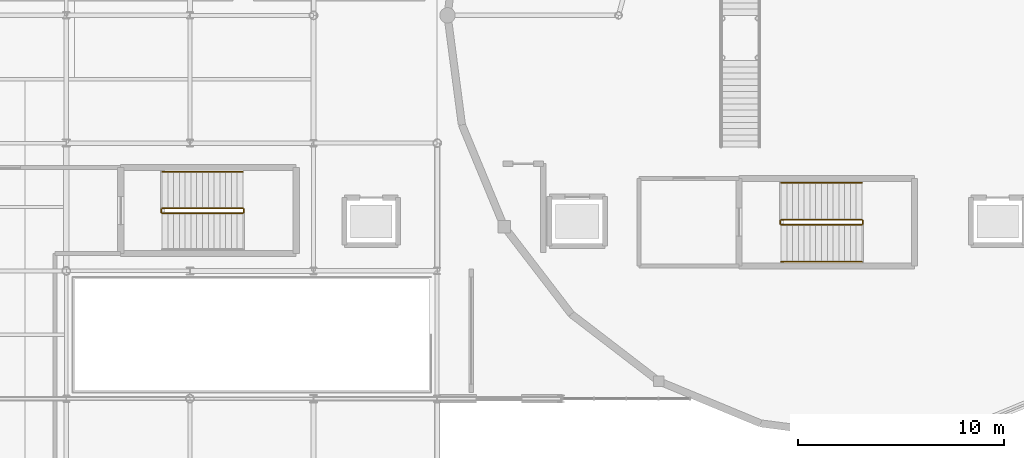
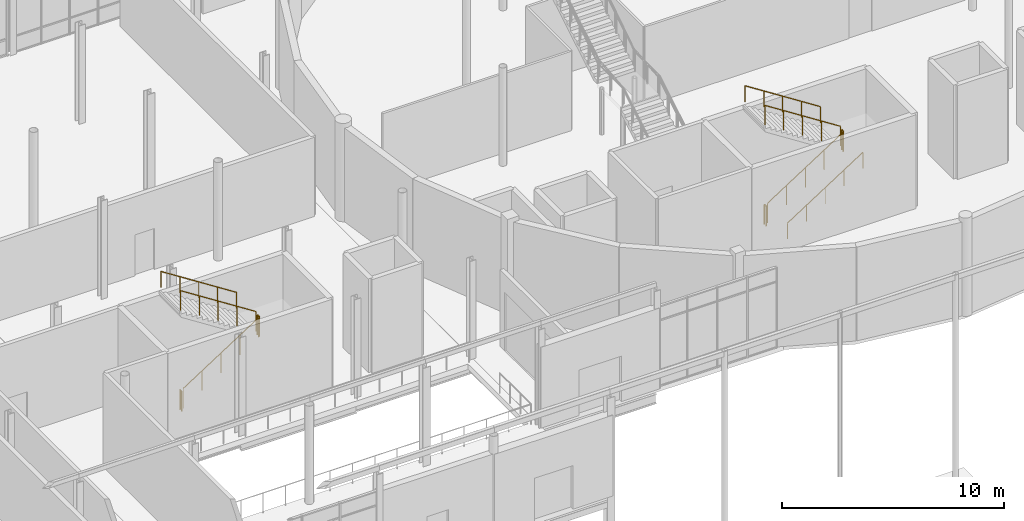
# One storey, part 90 of 98: 11 railings.
"""IFC4 building model written with IfcOpenShell, lengths in metres."""

from ifc_helpers import new_model, si_unit, direction, frame, origin, origin_2d, place, context, subcontext, project, spatial, circle, extrude, material, type_object, element, save


model = new_model("IFC4")

# Units and contexts
model_context = context("Model", 3, precision=1e-05, world=origin(), true_north=direction((0.0, 1.0)))
body_context = subcontext(model_context, "Body", "Model", "MODEL_VIEW")
ifc_project = project(units=[si_unit("LENGTHUNIT", "METRE"), si_unit("AREAUNIT", "SQUARE_METRE"), si_unit("VOLUMEUNIT", "CUBIC_METRE"), si_unit("PLANEANGLEUNIT", "RADIAN"), si_unit("MASSUNIT", "GRAM", prefix="KILO")], contexts=[model_context])

# Site, building, storey
site_placement = place(None, origin())
site = spatial("IfcSite", under=ifc_project, at=site_placement, CompositionType="ELEMENT")
building_placement = place(site_placement, origin())
building = spatial("IfcBuilding", under=site, at=building_placement, Name="Mirzam Square Science Centre", CompositionType="ELEMENT")
storey_placement = place(building_placement, origin())
storey = spatial("IfcBuildingStorey", under=building, at=storey_placement, Name="L00", CompositionType="ELEMENT", Elevation=0.0)

# Railings
ifc_material_1 = material(Name="Bronze-Anodised Architectural Balustrade", Category="aluminium")
railing_type_1 = type_object("IfcRailingType", Name="RL-INT-GUARD-1100", PredefinedType="GUARDRAIL", material=ifc_material_1)
railing_1_placement = place(storey_placement, frame((46.64990234375, 52.39990234375, 0.179931640625)))
element("IfcRailing", 1, at=railing_1_placement, inside=storey, type_object=railing_type_1, Name="L00 ST-01 stair guard 1", PredefinedType="GUARDRAIL", context=body_context, shape_type="SweptSolid", body=[
    extrude(circle(Radius=0.02392578125, at=origin_2d()), frame((0.0, 0.0, 1.076171875), z_axis=(0.841186985886, 0.0, 0.540744352514), x_axis=(0.0, 1.0, 0.0)), (0.0, 0.0, 1.0), 4.660400390625),
    extrude(circle(Radius=0.02099609375, at=origin_2d()), origin(), (0.0, 0.0, 1.0), 1.052001953125),
    extrude(circle(Radius=0.02099609375, at=origin_2d()), frame((0.97998046875, 0.0, 0.6298828125)), (0.0, 0.0, 1.0), 1.052001953125),
    extrude(circle(Radius=0.02099609375, at=origin_2d()), frame((1.9599609375, 0.0, 1.260009765625)), (0.0, 0.0, 1.0), 1.052001953125),
    extrude(circle(Radius=0.02099609375, at=origin_2d()), frame((2.940185546875, 0.0, 1.89013671875)), (0.0, 0.0, 1.0), 1.052001953125),
    extrude(circle(Radius=0.02099609375, at=origin_2d()), frame((3.920166015625, 0.0, 2.52001953125)), (0.0, 0.0, 1.0), 1.052001953125),
])
railing_2_placement = place(storey_placement, frame((50.6201171875, 52.449951171875, 2.699951171875)))
element("IfcRailing", 2, at=railing_2_placement, inside=storey, type_object=railing_type_1, Name="L00 ST-01 stair guard 2", PredefinedType="GUARDRAIL", context=body_context, shape_type="SweptSolid", body=[
    extrude(circle(Radius=0.02392578125, at=origin_2d()), frame((0.0, 0.0, 1.076171875), z_axis=(0.0, 1.0, 0.0), x_axis=(-1.0, 0.0, 0.0)), (0.0, 0.0, 1.0), 0.150146484375),
    extrude(circle(Radius=0.02099609375, at=origin_2d()), origin(), (0.0, 0.0, 1.0), 1.052001953125),
    extrude(circle(Radius=0.02099609375, at=origin_2d()), frame((0.0, 0.150146484375, 0.0)), (0.0, 0.0, 1.0), 1.052001953125),
])
railing_3_placement = place(storey_placement, frame((50.570068359375, 52.64990234375, 2.8798828125)))
element("IfcRailing", 3, at=railing_3_placement, inside=storey, type_object=railing_type_1, Name="L00 ST-01 stair guard 3", PredefinedType="GUARDRAIL", context=body_context, shape_type="SweptSolid", body=[
    extrude(circle(Radius=0.02392578125, at=origin_2d()), frame((0.0, 0.0, 1.076171875), z_axis=(-0.841186985886, 0.0, 0.540744352514), x_axis=(0.0, -1.0, 0.0)), (0.0, 0.0, 1.0), 4.660400390625),
    extrude(circle(Radius=0.02099609375, at=origin_2d()), origin(), (0.0, 0.0, 1.0), 1.052001953125),
    extrude(circle(Radius=0.02099609375, at=origin_2d()), frame((-0.97998046875, 0.0, 0.6298828125)), (0.0, 0.0, 1.0), 1.052001953125),
    extrude(circle(Radius=0.02099609375, at=origin_2d()), frame((-1.9599609375, 0.0, 1.260009765625)), (0.0, 0.0, 1.0), 1.052001953125),
    extrude(circle(Radius=0.02099609375, at=origin_2d()), frame((-2.940185546875, 0.0, 1.89013671875)), (0.0, 0.0, 1.0), 1.052001953125),
    extrude(circle(Radius=0.02099609375, at=origin_2d()), frame((-3.920166015625, 0.0, 2.52001953125)), (0.0, 0.0, 1.0), 1.052001953125),
])
railing_4_placement = place(storey_placement, frame((46.60009765625, 52.449951171875, 0.0)))
element("IfcRailing", 4, at=railing_4_placement, inside=storey, type_object=railing_type_1, Name="L00 ST-01 stair guard 4", PredefinedType="GUARDRAIL", context=body_context, shape_type="SweptSolid", body=[
    extrude(circle(Radius=0.02392578125, at=origin_2d()), frame((0.0, 0.0, 1.076171875), z_axis=(0.0, 1.0, 0.0), x_axis=(-1.0, 0.0, 0.0)), (0.0, 0.0, 1.0), 0.150146484375),
    extrude(circle(Radius=0.02099609375, at=origin_2d()), origin(), (0.0, 0.0, 1.0), 1.052001953125),
    extrude(circle(Radius=0.02099609375, at=origin_2d()), frame((0.0, 0.150146484375, 0.0)), (0.0, 0.0, 1.0), 1.052001953125),
])
railing_5_placement = place(storey_placement, frame((76.68994140625, 51.840087890625, 0.179931640625)))
element("IfcRailing", 5, at=railing_5_placement, inside=storey, type_object=railing_type_1, Name="L00 ST-03 stair guard 1", PredefinedType="GUARDRAIL", context=body_context, shape_type="SweptSolid", body=[
    extrude(circle(Radius=0.02392578125, at=origin_2d()), frame((0.0, 0.0, 1.076171875), z_axis=(0.841186985886, 0.0, 0.540744352514), x_axis=(0.0, 1.0, 0.0)), (0.0, 0.0, 1.0), 4.660400390625),
    extrude(circle(Radius=0.02099609375, at=origin_2d()), origin(), (0.0, 0.0, 1.0), 1.052001953125),
    extrude(circle(Radius=0.02099609375, at=origin_2d()), frame((0.97998046875, 0.0, 0.6298828125)), (0.0, 0.0, 1.0), 1.052001953125),
    extrude(circle(Radius=0.02099609375, at=origin_2d()), frame((1.9599609375, 0.0, 1.260009765625)), (0.0, 0.0, 1.0), 1.052001953125),
    extrude(circle(Radius=0.02099609375, at=origin_2d()), frame((2.940185546875, 0.0, 1.89013671875)), (0.0, 0.0, 1.0), 1.052001953125),
    extrude(circle(Radius=0.02099609375, at=origin_2d()), frame((3.920166015625, 0.0, 2.52001953125)), (0.0, 0.0, 1.0), 1.052001953125),
])
railing_6_placement = place(storey_placement, frame((80.659912109375, 51.889892578125, 2.699951171875)))
element("IfcRailing", 6, at=railing_6_placement, inside=storey, type_object=railing_type_1, Name="L00 ST-03 stair guard 2", PredefinedType="GUARDRAIL", context=body_context, shape_type="SweptSolid", body=[
    extrude(circle(Radius=0.02392578125, at=origin_2d()), frame((0.0, 0.0, 1.076171875), z_axis=(0.0, 1.0, 0.0), x_axis=(-1.0, 0.0, 0.0)), (0.0, 0.0, 1.0), 0.150146484375),
    extrude(circle(Radius=0.02099609375, at=origin_2d()), origin(), (0.0, 0.0, 1.0), 1.052001953125),
    extrude(circle(Radius=0.02099609375, at=origin_2d()), frame((0.0, 0.150146484375, 0.0)), (0.0, 0.0, 1.0), 1.052001953125),
])
railing_7_placement = place(storey_placement, frame((80.610107421875, 52.090087890625, 2.8798828125)))
element("IfcRailing", 7, at=railing_7_placement, inside=storey, type_object=railing_type_1, Name="L00 ST-03 stair guard 3", PredefinedType="GUARDRAIL", context=body_context, shape_type="SweptSolid", body=[
    extrude(circle(Radius=0.02392578125, at=origin_2d()), frame((0.0, 0.0, 1.076171875), z_axis=(-0.841186985886, 0.0, 0.540744352514), x_axis=(0.0, -1.0, 0.0)), (0.0, 0.0, 1.0), 4.660400390625),
    extrude(circle(Radius=0.02099609375, at=origin_2d()), origin(), (0.0, 0.0, 1.0), 1.052001953125),
    extrude(circle(Radius=0.02099609375, at=origin_2d()), frame((-0.97998046875, 0.0, 0.6298828125)), (0.0, 0.0, 1.0), 1.052001953125),
    extrude(circle(Radius=0.02099609375, at=origin_2d()), frame((-1.9599609375, 0.0, 1.260009765625)), (0.0, 0.0, 1.0), 1.052001953125),
    extrude(circle(Radius=0.02099609375, at=origin_2d()), frame((-2.940185546875, 0.0, 1.89013671875)), (0.0, 0.0, 1.0), 1.052001953125),
    extrude(circle(Radius=0.02099609375, at=origin_2d()), frame((-3.920166015625, 0.0, 2.52001953125)), (0.0, 0.0, 1.0), 1.052001953125),
])
railing_8_placement = place(storey_placement, frame((76.639892578125, 51.889892578125, 0.0)))
element("IfcRailing", 8, at=railing_8_placement, inside=storey, type_object=railing_type_1, Name="L00 ST-03 stair guard 4", PredefinedType="GUARDRAIL", context=body_context, shape_type="SweptSolid", body=[
    extrude(circle(Radius=0.02392578125, at=origin_2d()), frame((0.0, 0.0, 1.076171875), z_axis=(0.0, 1.0, 0.0), x_axis=(-1.0, 0.0, 0.0)), (0.0, 0.0, 1.0), 0.150146484375),
    extrude(circle(Radius=0.02099609375, at=origin_2d()), origin(), (0.0, 0.0, 1.0), 1.052001953125),
    extrude(circle(Radius=0.02099609375, at=origin_2d()), frame((0.0, 0.150146484375, 0.0)), (0.0, 0.0, 1.0), 1.052001953125),
])
ifc_material_2 = material(Name="Brushed Bronze Tubular Handrail", Category="aluminium")
railing_type_2 = type_object("IfcRailingType", Name="RL-STAIR-HANDRAIL-900", PredefinedType="HANDRAIL", material=ifc_material_2)
railing_9_placement = place(storey_placement, frame((50.570068359375, 54.39990234375, 3.072021484375)))
element("IfcRailing", 9, at=railing_9_placement, inside=storey, type_object=railing_type_2, Name="L00 ST-01 stair handrail 2", PredefinedType="HANDRAIL", context=body_context, shape_type="SweptSolid", body=[
    extrude(circle(Radius=0.02392578125, at=origin_2d()), frame((0.0, 0.0, 0.8759765625), z_axis=(-0.841186985886, 0.0, 0.540744352514), x_axis=(0.0, -1.0, 0.0)), (0.0, 0.0, 1.0), 4.660400390625),
    extrude(circle(Radius=0.02099609375, at=origin_2d()), origin(), (0.0, 0.0, 1.0), 0.851806640625),
    extrude(circle(Radius=0.02099609375, at=origin_2d()), frame((-0.97998046875, 0.0, 0.6298828125)), (0.0, 0.0, 1.0), 0.851806640625),
    extrude(circle(Radius=0.02099609375, at=origin_2d()), frame((-1.9599609375, 0.0, 1.260009765625)), (0.0, 0.0, 1.0), 0.851806640625),
    extrude(circle(Radius=0.02099609375, at=origin_2d()), frame((-2.940185546875, 0.0, 1.89013671875)), (0.0, 0.0, 1.0), 0.851806640625),
    extrude(circle(Radius=0.02099609375, at=origin_2d()), frame((-3.920166015625, 0.0, 2.52001953125)), (0.0, 0.0, 1.0), 0.851806640625),
])
railing_10_placement = place(storey_placement, frame((76.68994140625, 50.050048828125, 0.3720703125)))
element("IfcRailing", 10, at=railing_10_placement, inside=storey, type_object=railing_type_2, Name="L00 ST-03 stair handrail 1", PredefinedType="HANDRAIL", context=body_context, shape_type="SweptSolid", body=[
    extrude(circle(Radius=0.02392578125, at=origin_2d()), frame((0.0, 0.0, 0.8759765625), z_axis=(0.841186985886, 0.0, 0.540744352514), x_axis=(0.0, 1.0, 0.0)), (0.0, 0.0, 1.0), 4.660400390625),
    extrude(circle(Radius=0.02099609375, at=origin_2d()), origin(), (0.0, 0.0, 1.0), 0.851806640625),
    extrude(circle(Radius=0.02099609375, at=origin_2d()), frame((0.97998046875, 0.0, 0.6298828125)), (0.0, 0.0, 1.0), 0.851806640625),
    extrude(circle(Radius=0.02099609375, at=origin_2d()), frame((1.9599609375, 0.0, 1.260009765625)), (0.0, 0.0, 1.0), 0.851806640625),
    extrude(circle(Radius=0.02099609375, at=origin_2d()), frame((2.940185546875, 0.0, 1.89013671875)), (0.0, 0.0, 1.0), 0.851806640625),
    extrude(circle(Radius=0.02099609375, at=origin_2d()), frame((3.920166015625, 0.0, 2.52001953125)), (0.0, 0.0, 1.0), 0.851806640625),
])
railing_11_placement = place(storey_placement, frame((80.610107421875, 53.8798828125, 3.072021484375)))
element("IfcRailing", 11, at=railing_11_placement, inside=storey, type_object=railing_type_2, Name="L00 ST-03 stair handrail 2", PredefinedType="HANDRAIL", context=body_context, shape_type="SweptSolid", body=[
    extrude(circle(Radius=0.02392578125, at=origin_2d()), frame((0.0, 0.0, 0.8759765625), z_axis=(-0.841186985886, 0.0, 0.540744352514), x_axis=(0.0, -1.0, 0.0)), (0.0, 0.0, 1.0), 4.660400390625),
    extrude(circle(Radius=0.02099609375, at=origin_2d()), origin(), (0.0, 0.0, 1.0), 0.851806640625),
    extrude(circle(Radius=0.02099609375, at=origin_2d()), frame((-0.97998046875, 0.0, 0.6298828125)), (0.0, 0.0, 1.0), 0.851806640625),
    extrude(circle(Radius=0.02099609375, at=origin_2d()), frame((-1.9599609375, 0.0, 1.260009765625)), (0.0, 0.0, 1.0), 0.851806640625),
    extrude(circle(Radius=0.02099609375, at=origin_2d()), frame((-2.940185546875, 0.0, 1.89013671875)), (0.0, 0.0, 1.0), 0.851806640625),
    extrude(circle(Radius=0.02099609375, at=origin_2d()), frame((-3.920166015625, 0.0, 2.52001953125)), (0.0, 0.0, 1.0), 0.851806640625),
])

save(model, "model.ifc")
